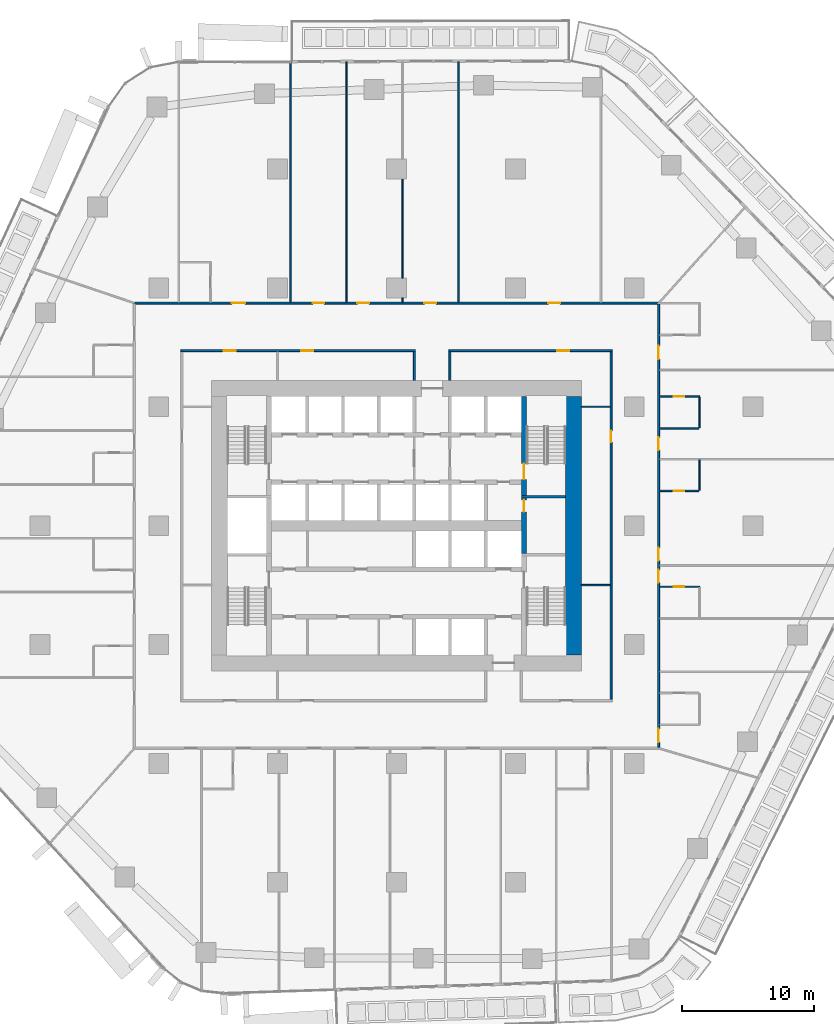
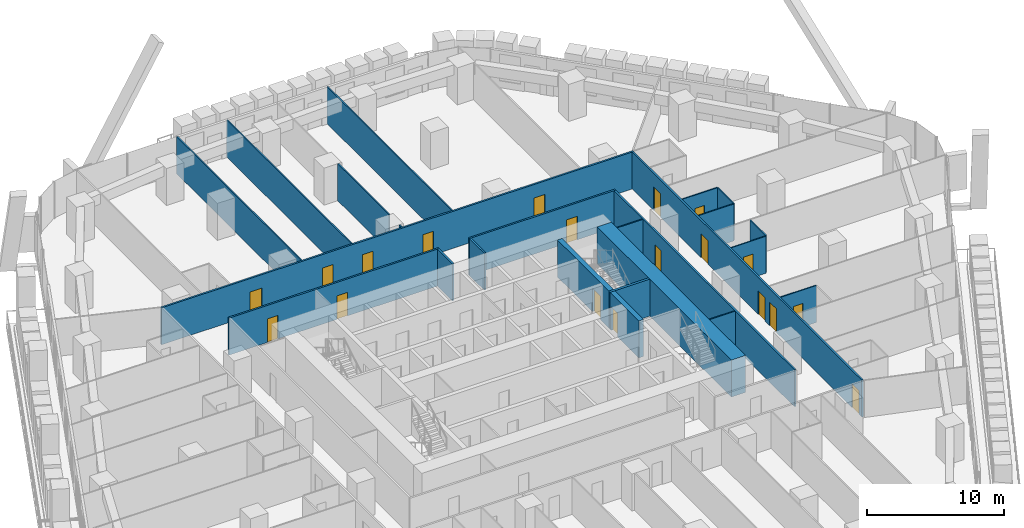
# One storey, part 17 of 27: 24 walls, 19 doors, 19 openings.
"""IFC4 building model written with IfcOpenShell, lengths in metres."""

from ifc_helpers import new_model, si_unit, direction, frame, frame_2d, origin, place, context, subcontext, project, spatial, rectangle, extrude, material, layer, layer_set, type_object, element, fill, save


model = new_model("IFC4")

# Units and contexts
model_context = context("Model", 3, precision=1e-05, world=origin(), true_north=direction((0.0, 1.0)))
body_context = subcontext(model_context, "Body", "Model", "MODEL_VIEW")
ifc_project = project(units=[si_unit("LENGTHUNIT", "METRE"), si_unit("AREAUNIT", "SQUARE_METRE"), si_unit("VOLUMEUNIT", "CUBIC_METRE"), si_unit("PLANEANGLEUNIT", "RADIAN"), si_unit("MASSUNIT", "GRAM", prefix="KILO")], contexts=[model_context])

# Site, building, storey
site_placement = place(None, origin())
site = spatial("IfcSite", under=ifc_project, at=site_placement, CompositionType="ELEMENT")
building_placement = place(site_placement, origin())
building = spatial("IfcBuilding", under=site, at=building_placement, Name="Dongbaek Canopy Tower", CompositionType="ELEMENT")
storey_placement = place(building_placement, frame((0.0, 0.0, 62.5)))
storey = spatial("IfcBuildingStorey", under=building, at=storey_placement, Name="L11", CompositionType="ELEMENT", Elevation=62.5)

# Wall
ifc_material_1 = material(Name="Concrete C60/75", Category="concrete")
ifc_layer_1 = layer(ifc_material_1, 1.199951171875)
ifc_layer_set_1 = layer_set([ifc_layer_1], Name="Core outer wall 1200 Concrete C60/75")
wall_type_1 = type_object("IfcWallType", Name="Core outer wall 1200 Concrete C60/75", PredefinedType="SHEAR", material=ifc_layer_set_1)
wall_1_placement = place(storey_placement, frame((13.39990234375, 9.800048828125, 0.0), z_axis=(0.0, 0.0, 1.0), x_axis=(0.0, -1.0, 0.0)))
element("IfcWall", 1, at=wall_1_placement, inside=storey, type_object=wall_type_1, Name="Core wall", PredefinedType="SHEAR", context=body_context, shape_type="SweptSolid", body=[
    extrude(rectangle(XDim=19.60009765625, YDim=1.199951171875, at=frame_2d((9.800048828125, 0.0))), origin(), (0.0, 0.0, 1.0), 3.300048828125),
])

# Wall, openings, doors
ifc_material_2 = material(Name="Gypsum board partition, steel stud, 2 x 15 mm fire board", Category="steel")
ifc_layer_2 = layer(ifc_material_2, 0.14990234375)
ifc_layer_set_2 = layer_set([ifc_layer_2], Name="Fire-rated partition 150 gypsum board")
wall_type_2 = type_object("IfcWallType", Name="Fire-rated partition 150 gypsum board", PredefinedType="PARTITIONING", material=ifc_layer_set_2)
wall_2_placement = place(storey_placement, frame((1.425048828125, 13.25, 0.0), z_axis=(0.0, 0.0, 1.0), x_axis=(-1.0, 0.0, 0.0)))
wall_2 = element("IfcWall", 2, at=wall_2_placement, inside=storey, type_object=wall_type_2, Name="Corridor partition", PredefinedType="PARTITIONING", context=body_context, shape_type="SweptSolid", body=[
    extrude(rectangle(XDim=17.75, YDim=0.14990234375, at=frame_2d((8.875, 0.0))), origin(), (0.0, 0.0, 1.0), 3.300048828125),
])
opening_1_placement = place(wall_2_placement, frame((7.72509765625, 0.0, 0.0)))
opening_1 = element("IfcOpeningElement", 3, at=opening_1_placement, cuts=wall_2, Name="Opening L11-D041", PredefinedType="OPENING", context=body_context, shape_type="SweptSolid", body=[
    extrude(rectangle(XDim=0.89990234375, YDim=2.10009765625, at=frame_2d((0.449951171875, 1.050048828125))), frame((0.0, 0.0849609375, 0.0), z_axis=(0.0, -1.0, 0.0), x_axis=(1.0, 0.0, 0.0)), (0.0, 0.0, 1.0), 0.169921875),
])
opening_2_placement = place(wall_2_placement, frame((13.60009765625, 0.0, 0.0)))
opening_2 = element("IfcOpeningElement", 4, at=opening_2_placement, cuts=wall_2, Name="Opening L11-D042", PredefinedType="OPENING", context=body_context, shape_type="SweptSolid", body=[
    extrude(rectangle(XDim=0.89990234375, YDim=2.10009765625, at=frame_2d((0.449951171875, 1.050048828125))), frame((0.0, 0.0849609375, 0.0), z_axis=(0.0, -1.0, 0.0), x_axis=(1.0, 0.0, 0.0)), (0.0, 0.0, 1.0), 0.169921875),
])
ifc_material_3 = material(Name="Timber veneered door leaf", Category="wood")
door_type_1 = type_object("IfcDoorType", Name="Room door 900 x 2100", OperationType="SINGLE_SWING_LEFT", PredefinedType="DOOR", material=ifc_material_3)
door_1_placement = place(opening_1_placement, origin())
door_1 = element("IfcDoor", 5, at=door_1_placement, inside=storey, type_object=door_type_1, Name="Door L11-D041", OperationType="SINGLE_SWING_RIGHT", OverallHeight=2.10009765625, OverallWidth=0.89990234375, PredefinedType="DOOR", context=body_context, shape_type="SweptSolid", body=[
    extrude(rectangle(XDim=0.89990234375, YDim=2.10009765625, at=frame_2d((0.449951171875, 1.050048828125))), frame((0.0, 0.02490234375, 0.0), z_axis=(0.0, -1.0, 0.0), x_axis=(1.0, 0.0, 0.0)), (0.0, 0.0, 1.0), 0.050048828125),
])
fill(opening_1, door_1)
door_2_placement = place(opening_2_placement, origin())
door_2 = element("IfcDoor", 6, at=door_2_placement, inside=storey, type_object=door_type_1, Name="Door L11-D042", OperationType="SINGLE_SWING_LEFT", OverallHeight=2.10009765625, OverallWidth=0.89990234375, PredefinedType="DOOR", context=body_context, shape_type="SweptSolid", body=[
    extrude(rectangle(XDim=0.89990234375, YDim=2.10009765625, at=frame_2d((0.449951171875, 1.050048828125))), frame((0.0, 0.02490234375, 0.0), z_axis=(0.0, -1.0, 0.0), x_axis=(1.0, 0.0, 0.0)), (0.0, 0.0, 1.0), 0.050048828125),
])
fill(opening_2, door_2)

# Wall, opening, door
wall_3_placement = place(storey_placement, frame((16.324951171875, 13.25, 0.0), z_axis=(0.0, 0.0, 1.0), x_axis=(-1.0, 0.0, 0.0)))
wall_3 = element("IfcWall", 7, at=wall_3_placement, inside=storey, type_object=wall_type_2, Name="Corridor partition", PredefinedType="PARTITIONING", context=body_context, shape_type="SweptSolid", body=[
    extrude(rectangle(XDim=12.349853515625, YDim=0.14990234375, at=frame_2d((6.1748046875, 0.0))), origin(), (0.0, 0.0, 1.0), 3.300048828125),
])
opening_3_placement = place(wall_3_placement, frame((3.25, 0.0, 0.0)))
opening_3 = element("IfcOpeningElement", 8, at=opening_3_placement, cuts=wall_3, Name="Opening L11-D040", PredefinedType="OPENING", context=body_context, shape_type="SweptSolid", body=[
    extrude(rectangle(XDim=0.89990234375, YDim=2.10009765625, at=frame_2d((0.449951171875, 1.050048828125))), frame((0.0, 0.0849609375, 0.0), z_axis=(0.0, -1.0, 0.0), x_axis=(1.0, 0.0, 0.0)), (0.0, 0.0, 1.0), 0.169921875),
])
door_3_placement = place(opening_3_placement, origin())
door_3 = element("IfcDoor", 9, at=door_3_placement, inside=storey, type_object=door_type_1, Name="Door L11-D040", OperationType="SINGLE_SWING_LEFT", OverallHeight=2.10009765625, OverallWidth=0.89990234375, PredefinedType="DOOR", context=body_context, shape_type="SweptSolid", body=[
    extrude(rectangle(XDim=0.89990234375, YDim=2.10009765625, at=frame_2d((0.449951171875, 1.050048828125))), frame((0.0, 0.02490234375, 0.0), z_axis=(0.0, -1.0, 0.0), x_axis=(1.0, 0.0, 0.0)), (0.0, 0.0, 1.0), 0.050048828125),
])
fill(opening_3, door_3)

# Wall, openings, doors
wall_4_placement = place(storey_placement, frame((-19.925048828125, 16.85009765625, 0.0), z_axis=(0.0, 0.0, 1.0), x_axis=(1.0, 0.0, 0.0)))
wall_4 = element("IfcWall", 10, at=wall_4_placement, inside=storey, type_object=wall_type_2, Name="Corridor partition", PredefinedType="PARTITIONING", context=body_context, shape_type="SweptSolid", body=[
    extrude(rectangle(XDim=39.85009765625, YDim=0.14990234375, at=frame_2d((19.925048828125, 0.0))), origin(), (0.0, 0.0, 1.0), 3.300048828125),
])
opening_4_placement = place(wall_4_placement, frame((31.43310546875, 0.0, 0.0)))
opening_4 = element("IfcOpeningElement", 11, at=opening_4_placement, cuts=wall_4, Name="Opening L11-D025", PredefinedType="OPENING", context=body_context, shape_type="SweptSolid", body=[
    extrude(rectangle(XDim=0.89990234375, YDim=2.10009765625, at=frame_2d((0.449951171875, 1.050048828125))), frame((0.0, 0.0849609375, 0.0), z_axis=(0.0, -1.0, 0.0), x_axis=(1.0, 0.0, 0.0)), (0.0, 0.0, 1.0), 0.169921875),
])
opening_5_placement = place(wall_4_placement, frame((22.043212890625, 0.0, 0.0)))
opening_5 = element("IfcOpeningElement", 12, at=opening_5_placement, cuts=wall_4, Name="Opening L11-D026", PredefinedType="OPENING", context=body_context, shape_type="SweptSolid", body=[
    extrude(rectangle(XDim=0.89990234375, YDim=2.10009765625, at=frame_2d((0.449951171875, 1.050048828125))), frame((0.0, 0.0849609375, 0.0), z_axis=(0.0, -1.0, 0.0), x_axis=(1.0, 0.0, 0.0)), (0.0, 0.0, 1.0), 0.169921875),
])
opening_6_placement = place(wall_4_placement, frame((16.95703125, 0.0, 0.0)))
opening_6 = element("IfcOpeningElement", 13, at=opening_6_placement, cuts=wall_4, Name="Opening L11-D027", PredefinedType="OPENING", context=body_context, shape_type="SweptSolid", body=[
    extrude(rectangle(XDim=0.89990234375, YDim=2.10009765625, at=frame_2d((0.449951171875, 1.050048828125))), frame((0.0, 0.0849609375, 0.0), z_axis=(0.0, -1.0, 0.0), x_axis=(1.0, 0.0, 0.0)), (0.0, 0.0, 1.0), 0.169921875),
])
opening_7_placement = place(wall_4_placement, frame((13.572265625, 0.0, 0.0)))
opening_7 = element("IfcOpeningElement", 14, at=opening_7_placement, cuts=wall_4, Name="Opening L11-D028", PredefinedType="OPENING", context=body_context, shape_type="SweptSolid", body=[
    extrude(rectangle(XDim=0.89990234375, YDim=2.10009765625, at=frame_2d((0.449951171875, 1.050048828125))), frame((0.0, 0.0849609375, 0.0), z_axis=(0.0, -1.0, 0.0), x_axis=(1.0, 0.0, 0.0)), (0.0, 0.0, 1.0), 0.169921875),
])
opening_8_placement = place(wall_4_placement, frame((7.45849609375, 0.0, 0.0)))
opening_8 = element("IfcOpeningElement", 15, at=opening_8_placement, cuts=wall_4, Name="Opening L11-D030", PredefinedType="OPENING", context=body_context, shape_type="SweptSolid", body=[
    extrude(rectangle(XDim=1.0, YDim=2.10009765625, at=frame_2d((0.5, 1.050048828125))), frame((0.0, 0.0849609375, 0.0), z_axis=(0.0, -1.0, 0.0), x_axis=(1.0, 0.0, 0.0)), (0.0, 0.0, 1.0), 0.169921875),
])
ifc_material_4 = material(Name="Timber veneered door leaf", Category="wood")
door_type_2 = type_object("IfcDoorType", Name="Guest room door 1000 x 2100", OperationType="SINGLE_SWING_LEFT", PredefinedType="DOOR", material=ifc_material_4)
door_4_placement = place(opening_8_placement, origin())
door_4 = element("IfcDoor", 16, at=door_4_placement, inside=storey, type_object=door_type_2, Name="Door L11-D030", OperationType="SINGLE_SWING_LEFT", OverallHeight=2.10009765625, OverallWidth=1.0, PredefinedType="DOOR", context=body_context, shape_type="SweptSolid", body=[
    extrude(rectangle(XDim=1.0, YDim=2.10009765625, at=frame_2d((0.5, 1.050048828125))), frame((0.0, 0.02490234375, 0.0), z_axis=(0.0, -1.0, 0.0), x_axis=(1.0, 0.0, 0.0)), (0.0, 0.0, 1.0), 0.050048828125),
])
fill(opening_8, door_4)
door_5_placement = place(opening_4_placement, origin())
door_5 = element("IfcDoor", 17, at=door_5_placement, inside=storey, type_object=door_type_1, Name="Door L11-D025", OperationType="SINGLE_SWING_LEFT", OverallHeight=2.10009765625, OverallWidth=0.89990234375, PredefinedType="DOOR", context=body_context, shape_type="SweptSolid", body=[
    extrude(rectangle(XDim=0.89990234375, YDim=2.10009765625, at=frame_2d((0.449951171875, 1.050048828125))), frame((0.0, 0.02490234375, 0.0), z_axis=(0.0, -1.0, 0.0), x_axis=(1.0, 0.0, 0.0)), (0.0, 0.0, 1.0), 0.050048828125),
])
fill(opening_4, door_5)
door_6_placement = place(opening_5_placement, origin())
door_6 = element("IfcDoor", 18, at=door_6_placement, inside=storey, type_object=door_type_1, Name="Door L11-D026", OperationType="SINGLE_SWING_RIGHT", OverallHeight=2.10009765625, OverallWidth=0.89990234375, PredefinedType="DOOR", context=body_context, shape_type="SweptSolid", body=[
    extrude(rectangle(XDim=0.89990234375, YDim=2.10009765625, at=frame_2d((0.449951171875, 1.050048828125))), frame((0.0, 0.02490234375, 0.0), z_axis=(0.0, -1.0, 0.0), x_axis=(1.0, 0.0, 0.0)), (0.0, 0.0, 1.0), 0.050048828125),
])
fill(opening_5, door_6)
door_7_placement = place(opening_6_placement, origin())
door_7 = element("IfcDoor", 19, at=door_7_placement, inside=storey, type_object=door_type_1, Name="Door L11-D027", OperationType="SINGLE_SWING_LEFT", OverallHeight=2.10009765625, OverallWidth=0.89990234375, PredefinedType="DOOR", context=body_context, shape_type="SweptSolid", body=[
    extrude(rectangle(XDim=0.89990234375, YDim=2.10009765625, at=frame_2d((0.449951171875, 1.050048828125))), frame((0.0, 0.02490234375, 0.0), z_axis=(0.0, -1.0, 0.0), x_axis=(1.0, 0.0, 0.0)), (0.0, 0.0, 1.0), 0.050048828125),
])
fill(opening_6, door_7)
door_8_placement = place(opening_7_placement, origin())
door_8 = element("IfcDoor", 20, at=door_8_placement, inside=storey, type_object=door_type_1, Name="Door L11-D028", OperationType="SINGLE_SWING_RIGHT", OverallHeight=2.10009765625, OverallWidth=0.89990234375, PredefinedType="DOOR", context=body_context, shape_type="SweptSolid", body=[
    extrude(rectangle(XDim=0.89990234375, YDim=2.10009765625, at=frame_2d((0.449951171875, 1.050048828125))), frame((0.0, 0.02490234375, 0.0), z_axis=(0.0, -1.0, 0.0), x_axis=(1.0, 0.0, 0.0)), (0.0, 0.0, 1.0), 0.050048828125),
])
fill(opening_7, door_8)

wall_5_placement = place(storey_placement, frame((19.85009765625, 16.77490234375, 0.0), z_axis=(0.0, 0.0, 1.0), x_axis=(0.0, -1.0, 0.0)))
wall_5 = element("IfcWall", 21, at=wall_5_placement, inside=storey, type_object=wall_type_2, Name="Corridor partition", PredefinedType="PARTITIONING", context=body_context, shape_type="SweptSolid", body=[
    extrude(rectangle(XDim=33.5498046875, YDim=0.14990234375, at=frame_2d((16.77490234375, 0.0))), origin(), (0.0, 0.0, 1.0), 3.300048828125),
])
opening_9_placement = place(wall_5_placement, frame((32.15771484375, 0.0, 0.0)))
opening_9 = element("IfcOpeningElement", 22, at=opening_9_placement, cuts=wall_5, Name="Opening L11-D016", PredefinedType="OPENING", context=body_context, shape_type="SweptSolid", body=[
    extrude(rectangle(XDim=1.0, YDim=2.10009765625, at=frame_2d((0.5, 1.050048828125))), frame((0.0, 0.0849609375, 0.0), z_axis=(0.0, -1.0, 0.0), x_axis=(1.0, 0.0, 0.0)), (0.0, 0.0, 1.0), 0.169921875),
])
opening_10_placement = place(wall_5_placement, frame((20.093505859375, 0.0, 0.0)))
opening_10 = element("IfcOpeningElement", 23, at=opening_10_placement, cuts=wall_5, Name="Opening L11-D018", PredefinedType="OPENING", context=body_context, shape_type="SweptSolid", body=[
    extrude(rectangle(XDim=1.0, YDim=2.10009765625, at=frame_2d((0.5, 1.050048828125))), frame((0.0, 0.0849609375, 0.0), z_axis=(0.0, -1.0, 0.0), x_axis=(1.0, 0.0, 0.0)), (0.0, 0.0, 1.0), 0.169921875),
])
opening_11_placement = place(wall_5_placement, frame((18.427978515625, 0.0, 0.0)))
opening_11 = element("IfcOpeningElement", 24, at=opening_11_placement, cuts=wall_5, Name="Opening L11-D020", PredefinedType="OPENING", context=body_context, shape_type="SweptSolid", body=[
    extrude(rectangle(XDim=1.0, YDim=2.10009765625, at=frame_2d((0.5, 1.050048828125))), frame((0.0, 0.0849609375, 0.0), z_axis=(0.0, -1.0, 0.0), x_axis=(1.0, 0.0, 0.0)), (0.0, 0.0, 1.0), 0.169921875),
])
opening_12_placement = place(wall_5_placement, frame((10.072265625, 0.0, 0.0)))
opening_12 = element("IfcOpeningElement", 25, at=opening_12_placement, cuts=wall_5, Name="Opening L11-D022", PredefinedType="OPENING", context=body_context, shape_type="SweptSolid", body=[
    extrude(rectangle(XDim=1.0, YDim=2.10009765625, at=frame_2d((0.5, 1.050048828125))), frame((0.0, 0.0849609375, 0.0), z_axis=(0.0, -1.0, 0.0), x_axis=(1.0, 0.0, 0.0)), (0.0, 0.0, 1.0), 0.169921875),
])
opening_13_placement = place(wall_5_placement, frame((3.15625, 0.0, 0.0)))
opening_13 = element("IfcOpeningElement", 26, at=opening_13_placement, cuts=wall_5, Name="Opening L11-D024", PredefinedType="OPENING", context=body_context, shape_type="SweptSolid", body=[
    extrude(rectangle(XDim=1.0, YDim=2.10009765625, at=frame_2d((0.5, 1.050048828125))), frame((0.0, 0.0849609375, 0.0), z_axis=(0.0, -1.0, 0.0), x_axis=(1.0, 0.0, 0.0)), (0.0, 0.0, 1.0), 0.169921875),
])
door_9_placement = place(opening_9_placement, origin())
door_9 = element("IfcDoor", 27, at=door_9_placement, inside=storey, type_object=door_type_2, Name="Door L11-D016", OperationType="SINGLE_SWING_RIGHT", OverallHeight=2.10009765625, OverallWidth=1.0, PredefinedType="DOOR", context=body_context, shape_type="SweptSolid", body=[
    extrude(rectangle(XDim=1.0, YDim=2.10009765625, at=frame_2d((0.5, 1.050048828125))), frame((0.0, 0.02490234375, 0.0), z_axis=(0.0, -1.0, 0.0), x_axis=(1.0, 0.0, 0.0)), (0.0, 0.0, 1.0), 0.050048828125),
])
fill(opening_9, door_9)
door_10_placement = place(opening_10_placement, origin())
door_10 = element("IfcDoor", 28, at=door_10_placement, inside=storey, type_object=door_type_2, Name="Door L11-D018", OperationType="SINGLE_SWING_RIGHT", OverallHeight=2.10009765625, OverallWidth=1.0, PredefinedType="DOOR", context=body_context, shape_type="SweptSolid", body=[
    extrude(rectangle(XDim=1.0, YDim=2.10009765625, at=frame_2d((0.5, 1.050048828125))), frame((0.0, 0.02490234375, 0.0), z_axis=(0.0, -1.0, 0.0), x_axis=(1.0, 0.0, 0.0)), (0.0, 0.0, 1.0), 0.050048828125),
])
fill(opening_10, door_10)
door_11_placement = place(opening_11_placement, origin())
door_11 = element("IfcDoor", 29, at=door_11_placement, inside=storey, type_object=door_type_2, Name="Door L11-D020", OperationType="SINGLE_SWING_LEFT", OverallHeight=2.10009765625, OverallWidth=1.0, PredefinedType="DOOR", context=body_context, shape_type="SweptSolid", body=[
    extrude(rectangle(XDim=1.0, YDim=2.10009765625, at=frame_2d((0.5, 1.050048828125))), frame((0.0, 0.02490234375, 0.0), z_axis=(0.0, -1.0, 0.0), x_axis=(1.0, 0.0, 0.0)), (0.0, 0.0, 1.0), 0.050048828125),
])
fill(opening_11, door_11)
door_12_placement = place(opening_12_placement, origin())
door_12 = element("IfcDoor", 30, at=door_12_placement, inside=storey, type_object=door_type_2, Name="Door L11-D022", OperationType="SINGLE_SWING_RIGHT", OverallHeight=2.10009765625, OverallWidth=1.0, PredefinedType="DOOR", context=body_context, shape_type="SweptSolid", body=[
    extrude(rectangle(XDim=1.0, YDim=2.10009765625, at=frame_2d((0.5, 1.050048828125))), frame((0.0, 0.02490234375, 0.0), z_axis=(0.0, -1.0, 0.0), x_axis=(1.0, 0.0, 0.0)), (0.0, 0.0, 1.0), 0.050048828125),
])
fill(opening_12, door_12)
door_13_placement = place(opening_13_placement, origin())
door_13 = element("IfcDoor", 31, at=door_13_placement, inside=storey, type_object=door_type_2, Name="Door L11-D024", OperationType="SINGLE_SWING_LEFT", OverallHeight=2.10009765625, OverallWidth=1.0, PredefinedType="DOOR", context=body_context, shape_type="SweptSolid", body=[
    extrude(rectangle(XDim=1.0, YDim=2.10009765625, at=frame_2d((0.5, 1.050048828125))), frame((0.0, 0.02490234375, 0.0), z_axis=(0.0, -1.0, 0.0), x_axis=(1.0, 0.0, 0.0)), (0.0, 0.0, 1.0), 0.050048828125),
])
fill(opening_13, door_13)

# Wall, opening, door
wall_6_placement = place(storey_placement, frame((16.25, -13.175048828125, 0.0), z_axis=(0.0, 0.0, 1.0), x_axis=(0.0, 1.0, 0.0)))
wall_6 = element("IfcWall", 32, at=wall_6_placement, inside=storey, type_object=wall_type_2, Name="Corridor partition", PredefinedType="PARTITIONING", context=body_context, shape_type="SweptSolid", body=[
    extrude(rectangle(XDim=26.35009765625, YDim=0.14990234375, at=frame_2d((13.175048828125, 0.0))), origin(), (0.0, 0.0, 1.0), 3.300048828125),
])
opening_14_placement = place(wall_6_placement, frame((19.47509765625, 0.0, 0.0)))
opening_14 = element("IfcOpeningElement", 33, at=opening_14_placement, cuts=wall_6, Name="Opening L11-D039", PredefinedType="OPENING", context=body_context, shape_type="SweptSolid", body=[
    extrude(rectangle(XDim=0.89990234375, YDim=2.10009765625, at=frame_2d((0.449951171875, 1.050048828125))), frame((0.0, 0.0849609375, 0.0), z_axis=(0.0, -1.0, 0.0), x_axis=(1.0, 0.0, 0.0)), (0.0, 0.0, 1.0), 0.169921875),
])
door_14_placement = place(opening_14_placement, origin())
door_14 = element("IfcDoor", 34, at=door_14_placement, inside=storey, type_object=door_type_1, Name="Door L11-D039", OperationType="SINGLE_SWING_RIGHT", OverallHeight=2.10009765625, OverallWidth=0.89990234375, PredefinedType="DOOR", context=body_context, shape_type="SweptSolid", body=[
    extrude(rectangle(XDim=0.89990234375, YDim=2.10009765625, at=frame_2d((0.449951171875, 1.050048828125))), frame((0.0, 0.02490234375, 0.0), z_axis=(0.0, -1.0, 0.0), x_axis=(1.0, 0.0, 0.0)), (0.0, 0.0, 1.0), 0.050048828125),
])
fill(opening_14, door_14)

# Walls
for number, where, z_axis, x_axis, name in (
    (35, (4.050048828125, 11.0, 0.0), (0.0, 0.0, 1.0), (0.0, 1.0, 0.0), "Corridor partition"),
    (36, (1.35009765625, 11.0, 0.0), (0.0, 0.0, 1.0), (0.0, 1.0, 0.0), "Corridor partition"),
):
    element("IfcWall", number, at=place(storey_placement, frame(where, z_axis=z_axis, x_axis=x_axis)), inside=storey, type_object=wall_type_2, Name=name, PredefinedType="PARTITIONING", context=body_context, shape_type="SweptSolid", body=[
        extrude(rectangle(XDim=2.175048828125, YDim=0.14990234375, at=frame_2d((1.08740234375, 0.0))), origin(), (0.0, 0.0, 1.0), 3.300048828125),
    ])

# Wall, opening, door
ifc_material_5 = material(Name="Gypsum board partition, steel stud, 2 x 12.5 mm board", Category="steel")
ifc_layer_3 = layer(ifc_material_5, 0.10009765625)
ifc_layer_set_3 = layer_set([ifc_layer_3], Name="Partition 100 gypsum board")
wall_type_3 = type_object("IfcWallType", Name="Partition 100 gypsum board", PredefinedType="PARTITIONING", material=ifc_layer_set_3)
wall_7_placement = place(storey_placement, frame((22.949951171875, -4.6298828125, 0.0), z_axis=(0.0, 0.0, 1.0), x_axis=(-1.0, 0.0, 0.0)))
wall_7 = element("IfcWall", 37, at=wall_7_placement, inside=storey, type_object=wall_type_3, Name="Partition", PredefinedType="PARTITIONING", context=body_context, shape_type="SweptSolid", body=[
    extrude(rectangle(XDim=3.02490234375, YDim=0.10009765625, at=frame_2d((1.512451171875, 0.0))), origin(), (0.0, 0.0, 1.0), 3.300048828125),
])
opening_15_placement = place(wall_7_placement, frame((1.14990234375, 0.0, 0.0)))
opening_15 = element("IfcOpeningElement", 38, at=opening_15_placement, cuts=wall_7, Name="Opening L11-D017", PredefinedType="OPENING", context=body_context, shape_type="SweptSolid", body=[
    extrude(rectangle(XDim=0.800048828125, YDim=2.10009765625, at=frame_2d((0.39990234375, 1.050048828125))), frame((0.0, 0.06005859375, 0.0), z_axis=(0.0, -1.0, 0.0), x_axis=(1.0, 0.0, 0.0)), (0.0, 0.0, 1.0), 0.1201171875),
])
ifc_material_6 = material(Name="Timber veneered door leaf", Category="wood")
door_type_3 = type_object("IfcDoorType", Name="En-suite door 800 x 2100", OperationType="SINGLE_SWING_LEFT", PredefinedType="DOOR", material=ifc_material_6)
door_15_placement = place(opening_15_placement, origin())
door_15 = element("IfcDoor", 39, at=door_15_placement, inside=storey, type_object=door_type_3, Name="Door L11-D017", OperationType="SINGLE_SWING_LEFT", OverallHeight=2.10009765625, OverallWidth=0.800048828125, PredefinedType="DOOR", context=body_context, shape_type="SweptSolid", body=[
    extrude(rectangle(XDim=0.800048828125, YDim=2.10009765625, at=frame_2d((0.39990234375, 1.050048828125))), frame((0.0, 0.02490234375, 0.0), z_axis=(0.0, -1.0, 0.0), x_axis=(1.0, 0.0, 0.0)), (0.0, 0.0, 1.0), 0.050048828125),
])
fill(opening_15, door_15)

# Wall
wall_8_placement = place(storey_placement, frame((14.0, -4.5, 0.0), z_axis=(0.0, 0.0, 1.0), x_axis=(1.0, 0.0, 0.0)))
element("IfcWall", 40, at=wall_8_placement, inside=storey, type_object=wall_type_3, Name="Partition", PredefinedType="PARTITIONING", context=body_context, shape_type="SweptSolid", body=[
    extrude(rectangle(XDim=2.175048828125, YDim=0.10009765625, at=frame_2d((1.08740234375, 0.0))), origin(), (0.0, 0.0, 1.0), 3.300048828125),
])

# Wall, opening, door
wall_9_placement = place(storey_placement, frame((19.925048828125, 2.635009765625, 0.0), z_axis=(0.0, 0.0, 1.0), x_axis=(1.0, 0.0, 0.0)))
wall_9 = element("IfcWall", 41, at=wall_9_placement, inside=storey, type_object=wall_type_3, Name="Partition", PredefinedType="PARTITIONING", context=body_context, shape_type="SweptSolid", body=[
    extrude(rectangle(XDim=2.974853515625, YDim=0.10009765625, at=frame_2d((1.4873046875, 0.0))), origin(), (0.0, 0.0, 1.0), 3.300048828125),
])
opening_16_placement = place(wall_9_placement, frame((1.074951171875, 0.0, 0.0)))
opening_16 = element("IfcOpeningElement", 42, at=opening_16_placement, cuts=wall_9, Name="Opening L11-D019", PredefinedType="OPENING", context=body_context, shape_type="SweptSolid", body=[
    extrude(rectangle(XDim=0.800048828125, YDim=2.10009765625, at=frame_2d((0.39990234375, 1.050048828125))), frame((0.0, 0.06005859375, 0.0), z_axis=(0.0, -1.0, 0.0), x_axis=(1.0, 0.0, 0.0)), (0.0, 0.0, 1.0), 0.1201171875),
])
door_16_placement = place(opening_16_placement, origin())
door_16 = element("IfcDoor", 43, at=door_16_placement, inside=storey, type_object=door_type_3, Name="Door L11-D019", OperationType="SINGLE_SWING_RIGHT", OverallHeight=2.10009765625, OverallWidth=0.800048828125, PredefinedType="DOOR", context=body_context, shape_type="SweptSolid", body=[
    extrude(rectangle(XDim=0.800048828125, YDim=2.10009765625, at=frame_2d((0.39990234375, 1.050048828125))), frame((0.0, 0.02490234375, 0.0), z_axis=(0.0, -1.0, 0.0), x_axis=(1.0, 0.0, 0.0)), (0.0, 0.0, 1.0), 0.050048828125),
])
fill(opening_16, door_16)

# Walls
wall_10_placement = place(storey_placement, frame((19.925048828125, 7.37109375, 0.0), z_axis=(0.0, 0.0, 1.0), x_axis=(1.0, 0.0, 0.0)))
element("IfcWall", 44, at=wall_10_placement, inside=storey, type_object=wall_type_3, Name="Partition", PredefinedType="PARTITIONING", context=body_context, shape_type="SweptSolid", body=[
    extrude(rectangle(XDim=2.974853515625, YDim=0.10009765625, at=frame_2d((1.4873046875, 0.0))), origin(), (0.0, 0.0, 1.0), 3.300048828125),
])
wall_11_placement = place(storey_placement, frame((14.0, 9.0, 0.0), z_axis=(0.0, 0.0, 1.0), x_axis=(1.0, 0.0, 0.0)))
element("IfcWall", 45, at=wall_11_placement, inside=storey, type_object=wall_type_3, Name="Partition", PredefinedType="PARTITIONING", context=body_context, shape_type="SweptSolid", body=[
    extrude(rectangle(XDim=2.175048828125, YDim=0.10009765625, at=frame_2d((1.08740234375, 0.0))), origin(), (0.0, 0.0, 1.0), 3.300048828125),
])

# Wall, opening, door
wall_12_placement = place(storey_placement, frame((22.949951171875, 9.77099609375, 0.0), z_axis=(0.0, 0.0, 1.0), x_axis=(-1.0, 0.0, 0.0)))
wall_12 = element("IfcWall", 46, at=wall_12_placement, inside=storey, type_object=wall_type_3, Name="Partition", PredefinedType="PARTITIONING", context=body_context, shape_type="SweptSolid", body=[
    extrude(rectangle(XDim=3.02490234375, YDim=0.10009765625, at=frame_2d((1.512451171875, 0.0))), origin(), (0.0, 0.0, 1.0), 3.300048828125),
])
opening_17_placement = place(wall_12_placement, frame((1.14990234375, 0.0, 0.0)))
opening_17 = element("IfcOpeningElement", 47, at=opening_17_placement, cuts=wall_12, Name="Opening L11-D021", PredefinedType="OPENING", context=body_context, shape_type="SweptSolid", body=[
    extrude(rectangle(XDim=0.800048828125, YDim=2.10009765625, at=frame_2d((0.39990234375, 1.050048828125))), frame((0.0, 0.06005859375, 0.0), z_axis=(0.0, -1.0, 0.0), x_axis=(1.0, 0.0, 0.0)), (0.0, 0.0, 1.0), 0.1201171875),
])
door_17_placement = place(opening_17_placement, origin())
door_17 = element("IfcDoor", 48, at=door_17_placement, inside=storey, type_object=door_type_3, Name="Door L11-D021", OperationType="SINGLE_SWING_LEFT", OverallHeight=2.10009765625, OverallWidth=0.800048828125, PredefinedType="DOOR", context=body_context, shape_type="SweptSolid", body=[
    extrude(rectangle(XDim=0.800048828125, YDim=2.10009765625, at=frame_2d((0.39990234375, 1.050048828125))), frame((0.0, 0.02490234375, 0.0), z_axis=(0.0, -1.0, 0.0), x_axis=(1.0, 0.0, 0.0)), (0.0, 0.0, 1.0), 0.050048828125),
])
fill(opening_17, door_17)

# Walls
for number, where, z_axis, x_axis, name in (
    (49, (22.949951171875, 2.684814453125, 0.0), (0.0, 0.0, 1.0), (0.0, 1.0, 0.0), "Partition"),
    (50, (22.949951171875, 7.4208984375, 0.0), (0.0, 0.0, 1.0), (0.0, 1.0, 0.0), "Partition"),
):
    element("IfcWall", number, at=place(storey_placement, frame(where, z_axis=z_axis, x_axis=x_axis)), inside=storey, type_object=wall_type_3, Name=name, PredefinedType="PARTITIONING", context=body_context, shape_type="SweptSolid", body=[
        extrude(rectangle(XDim=2.2998046875, YDim=0.10009765625, at=frame_2d((1.14990234375, 0.0))), origin(), (0.0, 0.0, 1.0), 3.300048828125),
    ])
wall_13_placement = place(storey_placement, frame((4.68603515625, 16.925048828125, 0.0), z_axis=(0.0, 0.0, 1.0), x_axis=(0.0, 1.0, 0.0)))
element("IfcWall", 51, at=wall_13_placement, inside=storey, type_object=wall_type_3, Name="Partition", PredefinedType="PARTITIONING", context=body_context, shape_type="SweptSolid", body=[
    extrude(rectangle(XDim=18.224853515625, YDim=0.10009765625, at=frame_2d((9.1123046875, 0.0))), origin(), (0.0, 0.0, 1.0), 3.300048828125),
])
wall_14_placement = place(storey_placement, frame((0.450927734375, 16.925048828125, 0.0), z_axis=(0.0, 0.0, 1.0), x_axis=(0.0, 1.0, 0.0)))
element("IfcWall", 52, at=wall_14_placement, inside=storey, type_object=wall_type_3, Name="Partition", PredefinedType="PARTITIONING", context=body_context, shape_type="SweptSolid", body=[
    extrude(rectangle(XDim=0.324951171875, YDim=0.10009765625, at=frame_2d((0.16259765625, 0.0))), origin(), (0.0, 0.0, 1.0), 3.300048828125),
])
wall_15_placement = place(storey_placement, frame((0.450927734375, 18.75, 0.0), z_axis=(0.0, 0.0, 1.0), x_axis=(0.0, 1.0, 0.0)))
element("IfcWall", 53, at=wall_15_placement, inside=storey, type_object=wall_type_3, Name="Partition", PredefinedType="PARTITIONING", context=body_context, shape_type="SweptSolid", body=[
    extrude(rectangle(XDim=7.5, YDim=0.10009765625, at=frame_2d((3.75, 0.0))), origin(), (0.0, 0.0, 1.0), 3.300048828125),
])
wall_16_placement = place(storey_placement, frame((-3.784912109375, 16.925048828125, 0.0), z_axis=(0.0, 0.0, 1.0), x_axis=(0.0, 1.0, 0.0)))
element("IfcWall", 54, at=wall_16_placement, inside=storey, type_object=wall_type_3, Name="Partition", PredefinedType="PARTITIONING", context=body_context, shape_type="SweptSolid", body=[
    extrude(rectangle(XDim=18.202392578125, YDim=0.10009765625, at=frame_2d((9.10107421875, 0.0))), origin(), (0.0, 0.0, 1.0), 3.300048828125),
])
wall_17_placement = place(storey_placement, frame((-8.02001953125, 16.925048828125, 0.0), z_axis=(0.0, 0.0, 1.0), x_axis=(0.0, 1.0, 0.0)))
element("IfcWall", 55, at=wall_17_placement, inside=storey, type_object=wall_type_3, Name="Partition", PredefinedType="PARTITIONING", context=body_context, shape_type="SweptSolid", body=[
    extrude(rectangle(XDim=18.191162109375, YDim=0.10009765625, at=frame_2d((9.095703125, 0.0))), origin(), (0.0, 0.0, 1.0), 3.300048828125),
])
ifc_material_7 = material(Name="Concrete C60/75", Category="concrete")
ifc_layer_4 = layer(ifc_material_7, 0.199951171875)
ifc_layer_set_4 = layer_set([ifc_layer_4], Name="Riser wall 200 Concrete C60/75")
wall_type_4 = type_object("IfcWallType", Name="Riser wall 200 Concrete C60/75", PredefinedType="SHEAR", material=ifc_layer_set_4)
wall_18_placement = place(storey_placement, frame((9.449951171875, 2.199951171875, 0.0), z_axis=(0.0, 0.0, 1.0), x_axis=(1.0, 0.0, 0.0)))
element("IfcWall", 56, at=wall_18_placement, inside=storey, type_object=wall_type_4, Name="Riser wall", PredefinedType="SHEAR", context=body_context, shape_type="SweptSolid", body=[
    extrude(rectangle(XDim=3.35009765625, YDim=0.199951171875, at=frame_2d((1.675048828125, 0.0))), origin(), (0.0, 0.0, 1.0), 3.300048828125),
])

# Wall, opening, door
ifc_material_8 = material(Name="Concrete C60/75", Category="concrete")
ifc_layer_5 = layer(ifc_material_8, 0.39990234375)
ifc_layer_set_5 = layer_set([ifc_layer_5], Name="Stair wall 400 Concrete C60/75")
wall_type_5 = type_object("IfcWallType", Name="Stair wall 400 Concrete C60/75", PredefinedType="SHEAR", material=ifc_layer_set_5)
wall_19_placement = place(storey_placement, frame((9.64990234375, 2.10009765625, 0.0), z_axis=(0.0, 0.0, 1.0), x_axis=(0.0, -1.0, 0.0)))
wall_19 = element("IfcWall", 57, at=wall_19_placement, inside=storey, type_object=wall_type_5, Name="Stair wall", PredefinedType="SHEAR", context=body_context, shape_type="SweptSolid", body=[
    extrude(rectangle(XDim=4.2001953125, YDim=0.39990234375, at=frame_2d((2.10009765625, 0.0))), origin(), (0.0, 0.0, 1.0), 3.300048828125),
])
opening_18_placement = place(wall_19_placement, frame((0.14990234375, 0.0, 0.0)))
opening_18 = element("IfcOpeningElement", 58, at=opening_18_placement, cuts=wall_19, Name="Opening L11-D044", PredefinedType="OPENING", context=body_context, shape_type="SweptSolid", body=[
    extrude(rectangle(XDim=0.89990234375, YDim=2.10009765625, at=frame_2d((0.449951171875, 1.050048828125))), frame((0.0, 0.2099609375, 0.0), z_axis=(0.0, -1.0, 0.0), x_axis=(1.0, 0.0, 0.0)), (0.0, 0.0, 1.0), 0.419921875),
])
ifc_material_9 = material(Name="Steel", Category="steel")
door_type_4 = type_object("IfcDoorType", Name="Core room door 900 x 2100", OperationType="SINGLE_SWING_LEFT", PredefinedType="DOOR", material=ifc_material_9)
door_18_placement = place(opening_18_placement, origin())
door_18 = element("IfcDoor", 59, at=door_18_placement, inside=storey, type_object=door_type_4, Name="Door L11-D044", OperationType="SINGLE_SWING_RIGHT", OverallHeight=2.10009765625, OverallWidth=0.89990234375, PredefinedType="DOOR", context=body_context, shape_type="SweptSolid", body=[
    extrude(rectangle(XDim=0.89990234375, YDim=2.10009765625, at=frame_2d((0.449951171875, 1.050048828125))), frame((0.0, 0.02490234375, 0.0), z_axis=(0.0, -1.0, 0.0), x_axis=(1.0, 0.0, 0.0)), (0.0, 0.0, 1.0), 0.050048828125),
])
fill(opening_18, door_18)

wall_20_placement = place(storey_placement, frame((9.64990234375, 9.800048828125, 0.0), z_axis=(0.0, 0.0, 1.0), x_axis=(0.0, -1.0, 0.0)))
wall_20 = element("IfcWall", 60, at=wall_20_placement, inside=storey, type_object=wall_type_5, Name="Stair wall", PredefinedType="SHEAR", context=body_context, shape_type="SweptSolid", body=[
    extrude(rectangle(XDim=7.5, YDim=0.39990234375, at=frame_2d((3.75, 0.0))), origin(), (0.0, 0.0, 1.0), 3.300048828125),
])
opening_19_placement = place(wall_20_placement, frame((5.10009765625, 0.0, 0.0)))
opening_19 = element("IfcOpeningElement", 61, at=opening_19_placement, cuts=wall_20, Name="Opening L11-D068", PredefinedType="OPENING", context=body_context, shape_type="SweptSolid", body=[
    extrude(rectangle(XDim=1.199951171875, YDim=2.10009765625, at=frame_2d((0.60009765625, 1.050048828125))), frame((0.0, 0.2099609375, 0.0), z_axis=(0.0, -1.0, 0.0), x_axis=(1.0, 0.0, 0.0)), (0.0, 0.0, 1.0), 0.419921875),
])
ifc_material_10 = material(Name="Steel", Category="steel")
door_type_5 = type_object("IfcDoorType", Name="Stair door 1200 x 2100", OperationType="SINGLE_SWING_LEFT", PredefinedType="DOOR", material=ifc_material_10)
door_19_placement = place(opening_19_placement, origin())
door_19 = element("IfcDoor", 62, at=door_19_placement, inside=storey, type_object=door_type_5, Name="Stair A door", OperationType="SINGLE_SWING_LEFT", OverallHeight=2.10009765625, OverallWidth=1.199951171875, PredefinedType="DOOR", context=body_context, shape_type="SweptSolid", body=[
    extrude(rectangle(XDim=1.199951171875, YDim=2.10009765625, at=frame_2d((0.60009765625, 1.050048828125))), frame((0.0, 0.02490234375, 0.0), z_axis=(0.0, -1.0, 0.0), x_axis=(1.0, 0.0, 0.0)), (0.0, 0.0, 1.0), 0.050048828125),
])
fill(opening_19, door_19)

save(model, "model.ifc")
